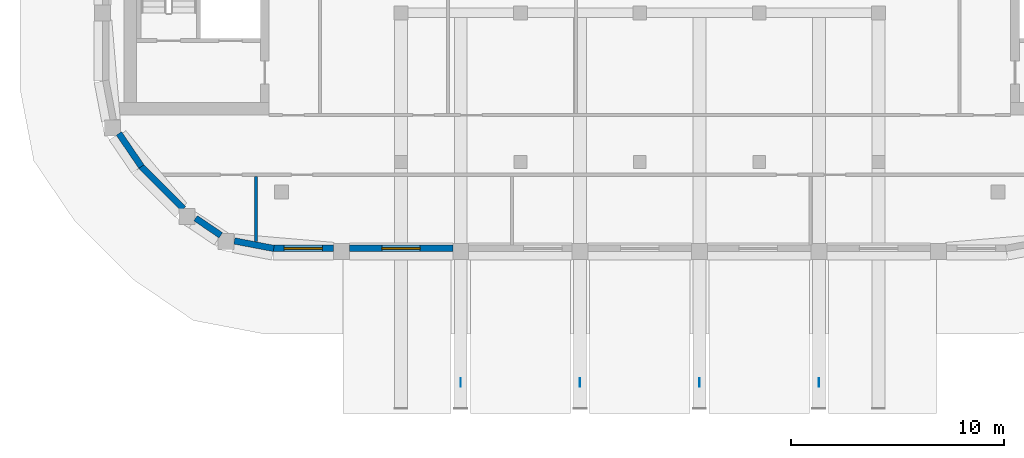
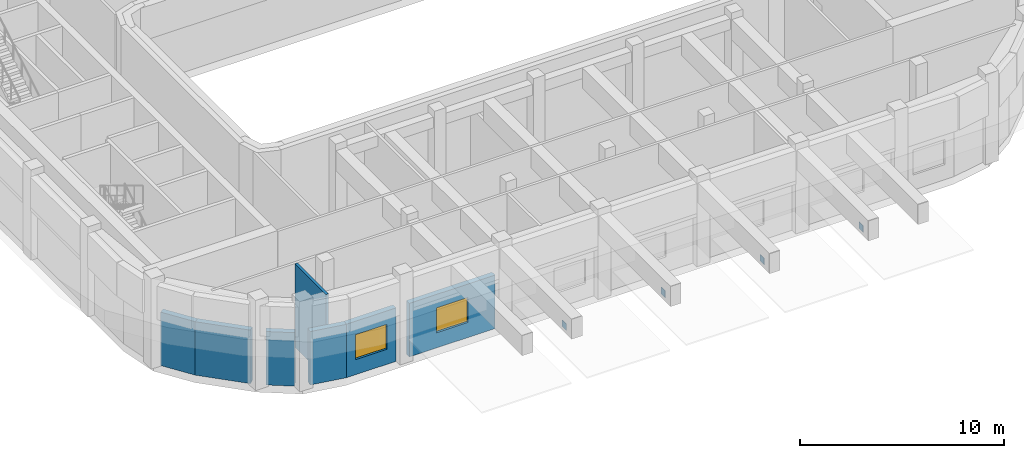
# One storey, part 5 of 17: 7 walls, 4 plates, 2 windows, 2 openings.
"""IFC4 building model written with IfcOpenShell, lengths in metres."""

import ifcopenshell
import ifcopenshell.guid

model = None  # the IFC model being written
_history = None  # IfcOwnerHistory: only IFC2X3 demands one
_inside = {}  # id of a spatial element -> (the spatial element, [elements in it])
_under = {}  # id of a project, library or spatial element -> (it, [spatial elements below it])
_declared = {}  # id of a project -> (the project, [libraries it declares])
_typed = {}  # id of a type object -> (the type object, [elements of that type])
_made_of = {}  # id of a material, layer set ... -> (it, [elements and type objects made of it])


def new_model(schema):
    """Start an empty IFC model of exactly this schema.

    Asked for "IFC4X3", IfcOpenShell would pick the latest addendum, in which some entities
    have other attributes; the version numbers below select the first issue.
    IFC2X3 requires an IfcOwnerHistory on every rooted entity: one is made here for all.
    """
    global model, _history
    if schema == "IFC4X3":
        model = ifcopenshell.file(schema_version=(4, 3, 0, 0))
    else:
        model = ifcopenshell.file(schema=schema)
    _inside.clear()
    _under.clear()
    _declared.clear()
    _typed.clear()
    _made_of.clear()
    _history = None
    if model.schema == "IFC2X3":
        org = make("IfcOrganization", Name="unknown")
        user = make(
            "IfcPersonAndOrganization",
            ThePerson=make("IfcPerson", FamilyName="unknown"),
            TheOrganization=org,
        )
        app = make(
            "IfcApplication",
            ApplicationDeveloper=org,
            Version="unknown",
            ApplicationFullName="unknown",
            ApplicationIdentifier="unknown",
        )
        _history = make(
            "IfcOwnerHistory",
            OwningUser=user,
            OwningApplication=app,
            ChangeAction="ADDED",
            CreationDate=0,
        )
    return model


def make(cls, **values):
    """One entity of the class cls with the attributes given. An attribute that is None is left unset."""
    return model.create_entity(
        cls, **{name: value for name, value in values.items() if value is not None}
    )


def rooted(cls, **values):
    """An entity with a GlobalId (a new one), such as an element, a storey or a relation."""
    return make(cls, GlobalId=ifcopenshell.guid.new(), OwnerHistory=_history, **values)


def si_unit(unit_type, name, prefix=None):
    """IfcSIUnit, for example si_unit("LENGTHUNIT", "METRE", prefix="MILLI")."""
    return make("IfcSIUnit", UnitType=unit_type, Prefix=prefix, Name=name)


def assignment(units):
    """IfcUnitAssignment: the units of a project."""
    return None if units is None else make("IfcUnitAssignment", Units=units)


def point(xyz):
    """IfcCartesianPoint."""
    return None if xyz is None else make("IfcCartesianPoint", Coordinates=xyz)


def direction(xyz):
    """IfcDirection."""
    return None if xyz is None else make("IfcDirection", DirectionRatios=xyz)


def frame(location, z_axis=None, x_axis=None):
    """IfcAxis2Placement3D, a coordinate frame: its origin and axes. An axis left out is left unset."""
    return make(
        "IfcAxis2Placement3D",
        Location=point(location),
        Axis=direction(z_axis),
        RefDirection=direction(x_axis),
    )


def frame_2d(location, x_axis=None):
    """IfcAxis2Placement2D, a coordinate frame in the plane: its origin and x axis."""
    return make(
        "IfcAxis2Placement2D", Location=point(location), RefDirection=direction(x_axis)
    )


def origin():
    """The frame at (0, 0, 0) with its axes left unset."""
    return frame((0.0, 0.0, 0.0))


def origin_2d():
    """The frame at (0, 0) in the plane with its x axis left unset."""
    return frame_2d((0.0, 0.0))


def place(relative_to, where):
    """IfcLocalPlacement: puts the frame where relative to a parent placement (None: the world)."""
    return make(
        "IfcLocalPlacement", PlacementRelTo=relative_to, RelativePlacement=where
    )


def context(
    kind, dimensions, precision=None, world=None, true_north=None, identifier=None
):
    """IfcGeometricRepresentationContext, for example the 3D "Model" context."""
    return make(
        "IfcGeometricRepresentationContext",
        ContextIdentifier=identifier,
        ContextType=kind,
        CoordinateSpaceDimension=dimensions,
        Precision=precision,
        WorldCoordinateSystem=world,
        TrueNorth=true_north,
    )


def subcontext(parent, identifier, kind, view, scale=None):
    """IfcGeometricRepresentationSubContext, for example "Body" below "Model"."""
    return make(
        "IfcGeometricRepresentationSubContext",
        ContextIdentifier=identifier,
        ContextType=kind,
        ParentContext=parent,
        TargetScale=scale,
        TargetView=view,
    )


def project(units=None, contexts=None):
    """IfcProject with its units and contexts."""
    return rooted(
        "IfcProject",
        Name="project",
        RepresentationContexts=contexts,
        UnitsInContext=assignment(units),
    )


def spatial(cls, under=None, at=None, **own):
    """A site, building, storey or space (cls), placed at a placement, below another one or the project."""
    s = rooted(cls, ObjectPlacement=at, **own)
    if under is not None:
        _under.setdefault(under.id(), (under, []))[1].append(s)
    return s


def profile(cls, at=None, kind="AREA", **sizes):
    """A parametric profile (cls). Its sizes go by their IFC names, for example OverallWidth=200.0."""
    return make(cls, ProfileType=kind, Position=at, **sizes)


def rectangle(**sizes):
    """IfcRectangleProfileDef."""
    return profile("IfcRectangleProfileDef", **sizes)


def extrude(swept, where, along, depth):
    """IfcExtrudedAreaSolid: the profile swept, set in the frame where, extruded along a direction by depth."""
    return make(
        "IfcExtrudedAreaSolid",
        SweptArea=swept,
        Position=where,
        ExtrudedDirection=direction(along),
        Depth=depth,
    )


def shape(context_of_items, identifier, shape_type, items):
    """IfcShapeRepresentation: the items that make up one representation, for example the "Body"."""
    return make(
        "IfcShapeRepresentation",
        ContextOfItems=context_of_items,
        RepresentationIdentifier=identifier,
        RepresentationType=shape_type,
        Items=items,
    )


def material(Name=None, Category=None):
    """IfcMaterial."""
    return make("IfcMaterial", Name=Name, Category=Category)


def layer(
    of_material, thickness, ventilated=None, Name=None, Category=None, Priority=None
):
    """IfcMaterialLayer: one layer of a wall or slab, of a material (None: an air gap)."""
    return make(
        "IfcMaterialLayer",
        Material=of_material,
        LayerThickness=thickness,
        IsVentilated=ventilated,
        Name=Name,
        Category=Category,
        Priority=Priority,
    )


def layer_set(layers, Name=None):
    """IfcMaterialLayerSet."""
    return make("IfcMaterialLayerSet", MaterialLayers=layers, LayerSetName=Name)


def made_of(thing, what):
    """Note that an element or type object is made of a material, layer set ...; save() writes the relation."""
    if what is not None:
        _made_of.setdefault(what.id(), (what, []))[1].append(thing)
    return thing


def type_object(cls, material=None, **own):
    """A type object (cls), such as IfcWallType, which elements share."""
    return made_of(rooted(cls, **own), material)


def element(
    cls,
    number,
    at=None,
    inside=None,
    cuts=None,
    type_object=None,
    material=None,
    context=None,
    identifier="Body",
    shape_type=None,
    held_by="IfcProductDefinitionShape",
    body=None,
    shapes=None,
    **own,
):
    """One element of the class cls, such as IfcWall. Its Tag is "e" and its number.

    at: its placement. inside: the storey or other place that contains it. cuts: it is an
    opening in that element (IfcRelVoidsElement). A single representation is given by context,
    identifier, shape_type and body (its items); several are given by shapes. held_by: the class
    of the entity that holds the representations. save() writes the other relations.
    """
    e = rooted(cls, Tag="e%d" % number, ObjectPlacement=at, **own)
    if body is not None:
        shapes = [shape(context, identifier, shape_type, body)]
    if shapes is not None:
        e.Representation = make(held_by, Representations=shapes)
    if inside is not None:
        _inside.setdefault(inside.id(), (inside, []))[1].append(e)
    if cuts is not None:
        rooted(
            "IfcRelVoidsElement", RelatingBuildingElement=cuts, RelatedOpeningElement=e
        )
    if type_object is not None:
        _typed.setdefault(type_object.id(), (type_object, []))[1].append(e)
    return made_of(e, material)


def fill(opening, filler):
    """IfcRelFillsElement: the door or window that sits in an opening."""
    return rooted(
        "IfcRelFillsElement",
        RelatingOpeningElement=opening,
        RelatedBuildingElement=filler,
    )


def aggregate(whole, parts):
    """IfcRelAggregates: a whole, such as a stair, and the parts it consists of."""
    return rooted("IfcRelAggregates", RelatingObject=whole, RelatedObjects=parts)


def save(model, path):
    """Write the relations noted so far, then the file.

    IfcRelAggregates (storeys below a building ...), IfcRelContainedInSpatialStructure (elements
    in a storey), IfcRelDefinesByType, IfcRelAssociatesMaterial and IfcRelDeclares: one each for
    every whole, place, type object, material and project.
    """
    for whole, parts in _under.values():
        aggregate(whole, parts)
    for where, things in _inside.values():
        rooted(
            "IfcRelContainedInSpatialStructure",
            RelatedElements=things,
            RelatingStructure=where,
        )
    for kind, things in _typed.values():
        rooted("IfcRelDefinesByType", RelatedObjects=things, RelatingType=kind)
    for what, things in _made_of.values():
        rooted("IfcRelAssociatesMaterial", RelatedObjects=things, RelatingMaterial=what)
    for by, libraries in _declared.values():
        rooted("IfcRelDeclares", RelatingContext=by, RelatedDefinitions=libraries)
    model.write(path)


model = new_model("IFC4")

# Units and contexts
model_context = context("Model", 3, precision=1e-05, world=origin(), true_north=direction((0.0, 1.0)))
body_context = subcontext(model_context, "Body", "Model", "MODEL_VIEW")
ifc_project = project(units=[si_unit("LENGTHUNIT", "METRE"), si_unit("AREAUNIT", "SQUARE_METRE"), si_unit("VOLUMEUNIT", "CUBIC_METRE"), si_unit("PLANEANGLEUNIT", "RADIAN"), si_unit("MASSUNIT", "GRAM", prefix="KILO")], contexts=[model_context])

# Site, building, storey
site_placement = place(None, origin())
site = spatial("IfcSite", under=ifc_project, at=site_placement, CompositionType="ELEMENT")
building_placement = place(site_placement, origin())
building = spatial("IfcBuilding", under=site, at=building_placement, Name="Kiln Ring Residences", CompositionType="ELEMENT")
storey_placement = place(building_placement, frame((0.0, 0.0, 289.10009765625)))
storey = spatial("IfcBuildingStorey", under=building, at=storey_placement, Name="L75", CompositionType="ELEMENT", Elevation=289.10009765625)

# Plates
ifc_material_1 = material(Name="Steel S460", Category="steel")
ifc_layer_1 = layer(ifc_material_1, 0.02001953125)
ifc_layer_set_1 = layer_set([ifc_layer_1], Name="Brace gusset plate 20")
plate_type = type_object("IfcPlateType", Name="Brace gusset plate 20", PredefinedType="SHEET", material=ifc_layer_set_1)
for number, where, z_axis, x_axis, name in (
    (1, (-8.39990234375, -25.75, 3.599853515625), (0.0, 0.0, 1.0), (1.0, 0.0, 0.0), "Brace gusset plate 14"),
    (2, (-2.800048828125, -25.75, 3.599853515625), (0.0, 0.0, 1.0), (1.0, 0.0, 0.0), "Brace gusset plate 16"),
    (3, (2.800048828125, -25.75, 3.599853515625), (0.0, 0.0, 1.0), (1.0, 0.0, 0.0), "Brace gusset plate 18"),
    (4, (8.39990234375, -25.75, 3.599853515625), (0.0, 0.0, 1.0), (1.0, 0.0, 0.0), "Brace gusset plate 20"),
):
    element("IfcPlate", number, at=place(storey_placement, frame(where, z_axis=z_axis, x_axis=x_axis)), inside=storey, type_object=plate_type, Name=name, PredefinedType="SHEET", context=body_context, shape_type="SweptSolid", body=[
        extrude(rectangle(XDim=0.02001953125, YDim=0.39990234375, at=origin_2d()), origin(), (0.0, 0.0, 1.0), 0.39990234375),
    ])

# Walls
ifc_material_2 = material(Name="Brick masonry, dark clay brick", Category="masonry")
ifc_layer_2 = layer(ifc_material_2, 0.300048828125)
ifc_layer_set_2 = layer_set([ifc_layer_2], Name="EW-300 BRICK WALL")
wall_type_1 = type_object("IfcWallType", Name="EW-300 BRICK WALL", PredefinedType="SOLIDWALL", material=ifc_layer_set_2)
wall_1_placement = place(storey_placement, frame((-23.39697265625, -15.591064453125, 0.0), z_axis=(0.0, 0.0, 1.0), x_axis=(0.707106781187, -0.707106781187, 0.0)))
element("IfcWall", 5, at=wall_1_placement, inside=storey, type_object=wall_type_1, Name="Facade wall L75 1", PredefinedType="SOLIDWALL", context=body_context, shape_type="SweptSolid", body=[
    extrude(rectangle(XDim=2.824951171875, YDim=0.300048828125, at=frame_2d((1.41259765625, 0.0))), origin(), (0.0, 0.0, 1.0), 3.199951171875),
])
wall_2_placement = place(storey_placement, frame((-20.837158203125, -18.0341796875, 0.0), z_axis=(0.0, 0.0, 1.0), x_axis=(0.827095130818, -0.562061957952, 0.0)))
element("IfcWall", 6, at=wall_2_placement, inside=storey, type_object=wall_type_1, Name="Facade wall L75 2", PredefinedType="SOLIDWALL", context=body_context, shape_type="SweptSolid", body=[
    extrude(rectangle(XDim=1.427001953125, YDim=0.300048828125, at=frame_2d((0.71337890625, 0.0))), origin(), (0.0, 0.0, 1.0), 3.199951171875),
])
wall_3_placement = place(storey_placement, frame((-19.019775390625, -19.10009765625, 0.0), z_axis=(0.0, 0.0, 1.0), x_axis=(0.982284001233, -0.187398348234, 0.0)))
element("IfcWall", 7, at=wall_3_placement, inside=storey, type_object=wall_type_1, Name="Facade wall L75 3", PredefinedType="SOLIDWALL", context=body_context, shape_type="SweptSolid", body=[
    extrude(rectangle(XDim=1.88134765625, YDim=0.300048828125, at=frame_2d((0.940673828125, 0.0))), origin(), (0.0, 0.0, 1.0), 3.199951171875),
])

# Wall, opening, window
wall_4_placement = place(storey_placement, frame((-17.199951171875, -19.449951171875, 0.0), z_axis=(0.0, 0.0, 1.0), x_axis=(1.0, 0.0, 0.0)))
wall_4 = element("IfcWall", 8, at=wall_4_placement, inside=storey, type_object=wall_type_1, Name="Facade wall L75 4", PredefinedType="SOLIDWALL", context=body_context, shape_type="SweptSolid", body=[
    extrude(rectangle(XDim=2.824951171875, YDim=0.300048828125, at=frame_2d((1.41259765625, 0.0))), origin(), (0.0, 0.0, 1.0), 3.199951171875),
])
opening_1_placement = place(wall_4_placement, frame((0.512451171875, 0.0, 0.89990234375)))
opening_1 = element("IfcOpeningElement", 9, at=opening_1_placement, cuts=wall_4, Name="Opening LV1", PredefinedType="OPENING", context=body_context, shape_type="SweptSolid", body=[
    extrude(rectangle(XDim=1.800048828125, YDim=1.5, at=frame_2d((0.89990234375, 0.75))), frame((0.0, 0.159912109375, 0.0), z_axis=(0.0, -1.0, 0.0), x_axis=(1.0, 0.0, 0.0)), (0.0, 0.0, 1.0), 0.320068359375),
])
ifc_material_3 = material(Name="Aluminium louvre", Category="aluminium")
window_type = type_object("IfcWindowType", Name="LOUVRED VENT 1800 x 1500", PartitioningType="SINGLE_PANEL", PredefinedType="WINDOW", material=ifc_material_3)
window_1_placement = place(opening_1_placement, origin())
window_1 = element("IfcWindow", 10, at=window_1_placement, inside=storey, type_object=window_type, Name="Louvred vent L75 1", OverallHeight=1.5, OverallWidth=1.800048828125, PartitioningType="SINGLE_PANEL", PredefinedType="WINDOW", context=body_context, shape_type="SweptSolid", body=[
    extrude(rectangle(XDim=1.800048828125, YDim=1.5, at=frame_2d((0.89990234375, 0.75))), frame((0.0, 0.030029296875, 0.0), z_axis=(0.0, -1.0, 0.0), x_axis=(1.0, 0.0, 0.0)), (0.0, 0.0, 1.0), 0.06005859375),
])
fill(opening_1, window_1)

wall_5_placement = place(storey_placement, frame((-13.625, -19.449951171875, 0.0), z_axis=(0.0, 0.0, 1.0), x_axis=(1.0, 0.0, 0.0)))
wall_5 = element("IfcWall", 11, at=wall_5_placement, inside=storey, type_object=wall_type_1, Name="Facade wall L75 5", PredefinedType="SOLIDWALL", context=body_context, shape_type="SweptSolid", body=[
    extrude(rectangle(XDim=4.85009765625, YDim=0.300048828125, at=frame_2d((2.425048828125, 0.0))), origin(), (0.0, 0.0, 1.0), 3.199951171875),
])
opening_2_placement = place(wall_5_placement, frame((1.52490234375, 0.0, 0.89990234375)))
opening_2 = element("IfcOpeningElement", 12, at=opening_2_placement, cuts=wall_5, Name="Opening LV1", PredefinedType="OPENING", context=body_context, shape_type="SweptSolid", body=[
    extrude(rectangle(XDim=1.800048828125, YDim=1.5, at=frame_2d((0.89990234375, 0.75))), frame((0.0, 0.159912109375, 0.0), z_axis=(0.0, -1.0, 0.0), x_axis=(1.0, 0.0, 0.0)), (0.0, 0.0, 1.0), 0.320068359375),
])
window_2_placement = place(opening_2_placement, origin())
window_2 = element("IfcWindow", 13, at=window_2_placement, inside=storey, type_object=window_type, Name="Louvred vent L75 2", OverallHeight=1.5, OverallWidth=1.800048828125, PartitioningType="SINGLE_PANEL", PredefinedType="WINDOW", context=body_context, shape_type="SweptSolid", body=[
    extrude(rectangle(XDim=1.800048828125, YDim=1.5, at=frame_2d((0.89990234375, 0.75))), frame((0.0, 0.030029296875, 0.0), z_axis=(0.0, -1.0, 0.0), x_axis=(1.0, 0.0, 0.0)), (0.0, 0.0, 1.0), 0.06005859375),
])
fill(opening_2, window_2)

# Walls
wall_6_placement = place(storey_placement, frame((-24.436279296875, -14.056884765625, 0.0), z_axis=(0.0, 0.0, 1.0), x_axis=(0.562075713892, -0.827085782645, 0.0)))
element("IfcWall", 14, at=wall_6_placement, inside=storey, type_object=wall_type_1, Name="Facade wall L75 44", PredefinedType="SOLIDWALL", context=body_context, shape_type="SweptSolid", body=[
    extrude(rectangle(XDim=1.881103515625, YDim=0.300048828125, at=frame_2d((0.9404296875, 0.0))), origin(), (0.0, 0.0, 1.0), 3.199951171875),
])
ifc_material_4 = material(Name="Brick masonry partition", Category="masonry")
ifc_layer_3 = layer(ifc_material_4, 0.14990234375)
ifc_layer_set_3 = layer_set([ifc_layer_3], Name="PARTITION-150-ei60")
wall_type_2 = type_object("IfcWallType", Name="PARTITION-150-ei60", PredefinedType="PARTITIONING", material=ifc_layer_set_3)
wall_7_placement = place(storey_placement, frame((-18.0, -19.1220703125, 0.0), z_axis=(0.0, 0.0, 1.0), x_axis=(0.0, 1.0, 0.0)))
element("IfcWall", 15, at=wall_7_placement, inside=storey, type_object=wall_type_2, Name="Partition 005", PredefinedType="PARTITIONING", context=body_context, shape_type="SweptSolid", body=[
    extrude(rectangle(XDim=3.047119140625, YDim=0.14990234375, at=frame_2d((1.5234375, 0.0))), origin(), (0.0, 0.0, 1.0), 5.0),
])

save(model, "model.ifc")
